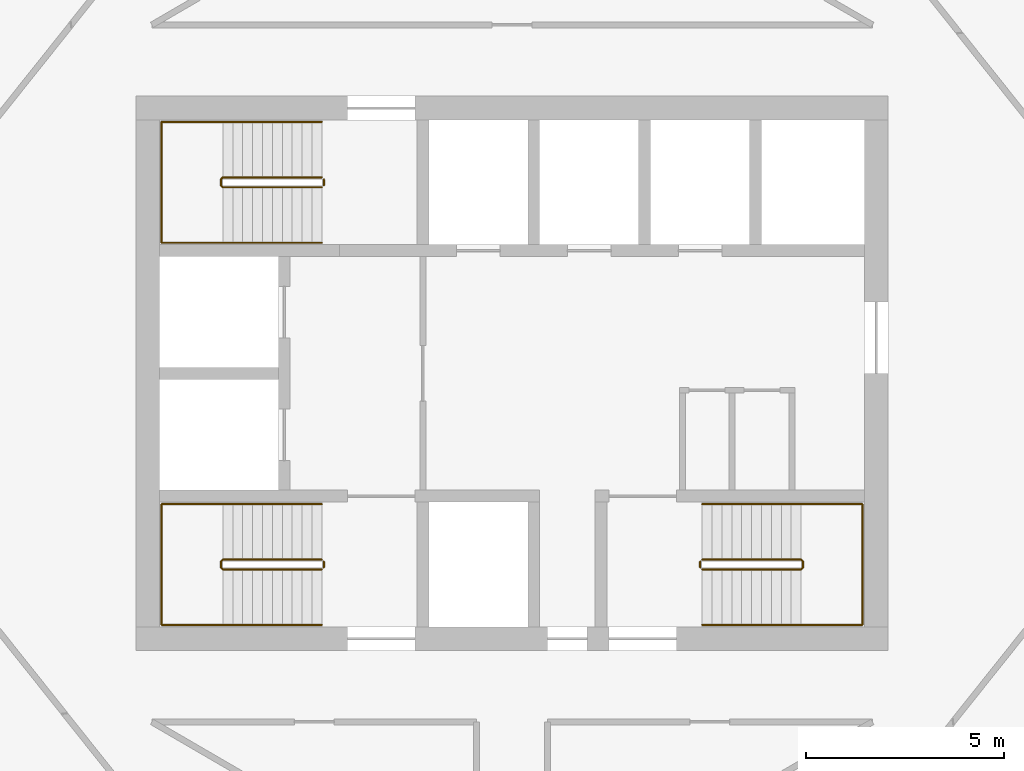
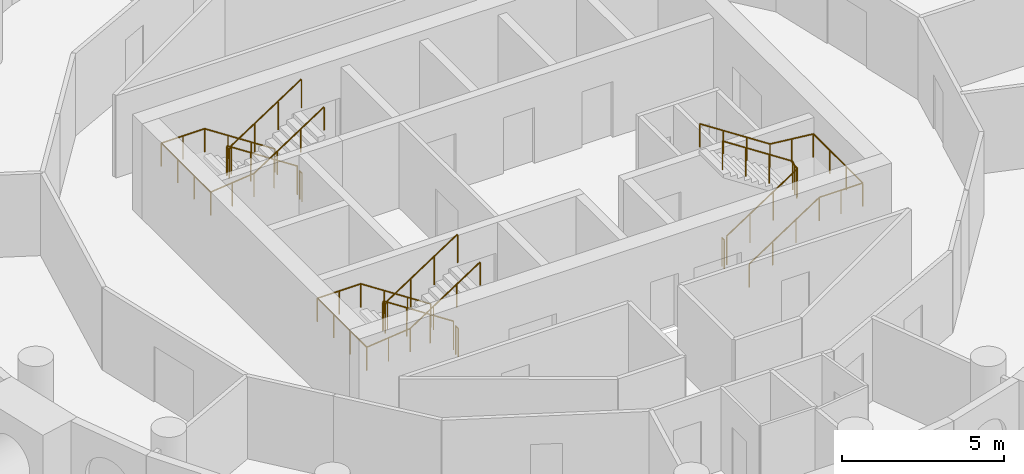
# One storey, part 13 of 13: 9 railings.
"""IFC4 building model written with IfcOpenShell, lengths in metres."""

from ifc_helpers import new_model, si_unit, direction, frame, origin, origin_2d, place, context, subcontext, project, spatial, circle, extrude, material, type_object, element, save


model = new_model("IFC4")

# Units and contexts
model_context = context("Model", 3, precision=1e-05, world=origin(), true_north=direction((0.0, 1.0)))
body_context = subcontext(model_context, "Body", "Model", "MODEL_VIEW")
ifc_project = project(units=[si_unit("LENGTHUNIT", "METRE"), si_unit("AREAUNIT", "SQUARE_METRE"), si_unit("VOLUMEUNIT", "CUBIC_METRE"), si_unit("PLANEANGLEUNIT", "RADIAN"), si_unit("MASSUNIT", "GRAM", prefix="KILO")], contexts=[model_context])

# Site, building, storey
site_placement = place(None, origin())
site = spatial("IfcSite", under=ifc_project, at=site_placement, CompositionType="ELEMENT")
building_placement = place(site_placement, origin())
building = spatial("IfcBuilding", under=site, at=building_placement, Name="Tracery Tower", CompositionType="ELEMENT")
storey_placement = place(building_placement, frame((0.0, 0.0, 270.60009765625)))
storey = spatial("IfcBuildingStorey", under=building, at=storey_placement, Name="L70", CompositionType="ELEMENT", Elevation=270.60009765625)

# Railings
ifc_material_1 = material(Name="Stainless steel and laminated glass", Category="steel")
railing_type_1 = type_object("IfcRailingType", Name="Stair guard 1100", PredefinedType="GUARDRAIL", material=ifc_material_1)
railing_1_placement = place(storey_placement, frame((-4.800048828125, -4.699951171875, 0.16357421875)))
element("IfcRailing", 1, at=railing_1_placement, inside=storey, type_object=railing_type_1, Name="L70 stair ST1 guard 1", PredefinedType="GUARDRAIL", context=body_context, shape_type="SweptSolid", body=[
    extrude(circle(Radius=0.02392578125, at=origin_2d()), frame((0.0, 0.0, 1.076171875), z_axis=(-0.836721939367, 0.0, 0.547627972425), x_axis=(0.0, -1.0, 0.0)), (0.0, 0.0, 1.0), 2.98779296875),
    extrude(circle(Radius=0.02392578125, at=origin_2d()), frame((-2.5, 0.0, 2.71240234375), z_axis=(-0.707106781187, -0.707106781187, 0.0), x_axis=(0.707106781187, -0.707106781187, 0.0)), (0.0, 0.0, 1.0), 0.07080078125),
    extrude(circle(Radius=0.02392578125, at=origin_2d()), frame((-2.550048828125, -0.050048828125, 2.71240234375), z_axis=(0.0, -1.0, 0.0), x_axis=(1.0, 0.0, 0.0)), (0.0, 0.0, 1.0), 0.14990234375),
    extrude(circle(Radius=0.02392578125, at=origin_2d()), frame((-2.550048828125, -0.199951171875, 2.71240234375), z_axis=(0.280456126637, -0.280456126637, 0.917980785237), x_axis=(0.707106781187, 0.707106781187, 0.0)), (0.0, 0.0, 1.0), 0.178466796875),
    extrude(circle(Radius=0.02392578125, at=origin_2d()), frame((-2.5, -0.25, 2.8759765625), z_axis=(0.836721939367, 0.0, 0.547627972425), x_axis=(0.0, 1.0, 0.0)), (0.0, 0.0, 1.0), 2.98779296875),
    extrude(circle(Radius=0.02099609375, at=origin_2d()), origin(), (0.0, 0.0, 1.0), 1.052001953125),
    extrude(circle(Radius=0.02099609375, at=origin_2d()), frame((-0.833251953125, 0.0, 0.54541015625)), (0.0, 0.0, 1.0), 1.052001953125),
    extrude(circle(Radius=0.02099609375, at=origin_2d()), frame((-1.666748046875, 0.0, 1.0908203125)), (0.0, 0.0, 1.0), 1.052001953125),
    extrude(circle(Radius=0.02099609375, at=origin_2d()), frame((-2.5, 0.0, 1.63623046875)), (0.0, 0.0, 1.0), 1.052001953125),
    extrude(circle(Radius=0.02099609375, at=origin_2d()), frame((-2.550048828125, -0.050048828125, 1.63623046875)), (0.0, 0.0, 1.0), 1.052001953125),
    extrude(circle(Radius=0.02099609375, at=origin_2d()), frame((-2.550048828125, -0.199951171875, 1.63623046875)), (0.0, 0.0, 1.0), 1.052001953125),
    extrude(circle(Radius=0.02099609375, at=origin_2d()), frame((-2.5, -0.25, 1.800048828125)), (0.0, 0.0, 1.0), 1.052001953125),
    extrude(circle(Radius=0.02099609375, at=origin_2d()), frame((-1.666748046875, -0.25, 2.345458984375)), (0.0, 0.0, 1.0), 1.052001953125),
    extrude(circle(Radius=0.02099609375, at=origin_2d()), frame((-0.833251953125, -0.25, 2.890869140625)), (0.0, 0.0, 1.0), 1.052001953125),
    extrude(circle(Radius=0.02099609375, at=origin_2d()), frame((0.0, -0.25, 3.436279296875)), (0.0, 0.0, 1.0), 1.052001953125),
])
railing_2_placement = place(storey_placement, frame((-4.75, -4.75, 0.0)))
element("IfcRailing", 2, at=railing_2_placement, inside=storey, type_object=railing_type_1, Name="L70 stair ST1 guard 2", PredefinedType="GUARDRAIL", context=body_context, shape_type="SweptSolid", body=[
    extrude(circle(Radius=0.02392578125, at=origin_2d()), frame((0.0, 0.0, 1.076171875), z_axis=(0.0, -1.0, 0.0), x_axis=(1.0, 0.0, 0.0)), (0.0, 0.0, 1.0), 0.14990234375),
    extrude(circle(Radius=0.02099609375, at=origin_2d()), origin(), (0.0, 0.0, 1.0), 1.052001953125),
    extrude(circle(Radius=0.02099609375, at=origin_2d()), frame((0.0, -0.14990234375, 0.0)), (0.0, 0.0, 1.0), 1.052001953125),
])
railing_3_placement = place(storey_placement, frame((-4.800048828125, 4.949951171875, 0.16357421875)))
element("IfcRailing", 3, at=railing_3_placement, inside=storey, type_object=railing_type_1, Name="L70 stair ST3 guard 1", PredefinedType="GUARDRAIL", context=body_context, shape_type="SweptSolid", body=[
    extrude(circle(Radius=0.02392578125, at=origin_2d()), frame((0.0, 0.0, 1.076171875), z_axis=(-0.836721939367, 0.0, 0.547627972425), x_axis=(0.0, -1.0, 0.0)), (0.0, 0.0, 1.0), 2.98779296875),
    extrude(circle(Radius=0.02392578125, at=origin_2d()), frame((-2.5, 0.0, 2.71240234375), z_axis=(-0.707106781187, -0.707106781187, 0.0), x_axis=(0.707106781187, -0.707106781187, 0.0)), (0.0, 0.0, 1.0), 0.07080078125),
    extrude(circle(Radius=0.02392578125, at=origin_2d()), frame((-2.550048828125, -0.050048828125, 2.71240234375), z_axis=(0.0, -1.0, 0.0), x_axis=(1.0, 0.0, 0.0)), (0.0, 0.0, 1.0), 0.14990234375),
    extrude(circle(Radius=0.02392578125, at=origin_2d()), frame((-2.550048828125, -0.199951171875, 2.71240234375), z_axis=(0.280456126637, -0.280456126637, 0.917980785237), x_axis=(0.707106781187, 0.707106781187, 0.0)), (0.0, 0.0, 1.0), 0.178466796875),
    extrude(circle(Radius=0.02392578125, at=origin_2d()), frame((-2.5, -0.25, 2.8759765625), z_axis=(0.836721939367, 0.0, 0.547627972425), x_axis=(0.0, 1.0, 0.0)), (0.0, 0.0, 1.0), 2.98779296875),
    extrude(circle(Radius=0.02099609375, at=origin_2d()), origin(), (0.0, 0.0, 1.0), 1.052001953125),
    extrude(circle(Radius=0.02099609375, at=origin_2d()), frame((-0.833251953125, 0.0, 0.54541015625)), (0.0, 0.0, 1.0), 1.052001953125),
    extrude(circle(Radius=0.02099609375, at=origin_2d()), frame((-1.666748046875, 0.0, 1.0908203125)), (0.0, 0.0, 1.0), 1.052001953125),
    extrude(circle(Radius=0.02099609375, at=origin_2d()), frame((-2.5, 0.0, 1.63623046875)), (0.0, 0.0, 1.0), 1.052001953125),
    extrude(circle(Radius=0.02099609375, at=origin_2d()), frame((-2.550048828125, -0.050048828125, 1.63623046875)), (0.0, 0.0, 1.0), 1.052001953125),
    extrude(circle(Radius=0.02099609375, at=origin_2d()), frame((-2.550048828125, -0.199951171875, 1.63623046875)), (0.0, 0.0, 1.0), 1.052001953125),
    extrude(circle(Radius=0.02099609375, at=origin_2d()), frame((-2.5, -0.25, 1.800048828125)), (0.0, 0.0, 1.0), 1.052001953125),
    extrude(circle(Radius=0.02099609375, at=origin_2d()), frame((-1.666748046875, -0.25, 2.345458984375)), (0.0, 0.0, 1.0), 1.052001953125),
    extrude(circle(Radius=0.02099609375, at=origin_2d()), frame((-0.833251953125, -0.25, 2.890869140625)), (0.0, 0.0, 1.0), 1.052001953125),
    extrude(circle(Radius=0.02099609375, at=origin_2d()), frame((0.0, -0.25, 3.436279296875)), (0.0, 0.0, 1.0), 1.052001953125),
])
railing_4_placement = place(storey_placement, frame((-4.75, 4.89990234375, 0.0)))
element("IfcRailing", 4, at=railing_4_placement, inside=storey, type_object=railing_type_1, Name="L70 stair ST3 guard 2", PredefinedType="GUARDRAIL", context=body_context, shape_type="SweptSolid", body=[
    extrude(circle(Radius=0.02392578125, at=origin_2d()), frame((0.0, 0.0, 1.076171875), z_axis=(0.0, -1.0, 0.0), x_axis=(1.0, 0.0, 0.0)), (0.0, 0.0, 1.0), 0.14990234375),
    extrude(circle(Radius=0.02099609375, at=origin_2d()), origin(), (0.0, 0.0, 1.0), 1.052001953125),
    extrude(circle(Radius=0.02099609375, at=origin_2d()), frame((0.0, -0.14990234375, 0.0)), (0.0, 0.0, 1.0), 1.052001953125),
])
railing_5_placement = place(storey_placement, frame((4.800048828125, -4.949951171875, 0.16357421875)))
element("IfcRailing", 5, at=railing_5_placement, inside=storey, type_object=railing_type_1, Name="L70 stair ST2 guard 1", PredefinedType="GUARDRAIL", context=body_context, shape_type="SweptSolid", body=[
    extrude(circle(Radius=0.02392578125, at=origin_2d()), frame((0.0, 0.0, 1.076171875), z_axis=(0.836721939367, 0.0, 0.547627972425), x_axis=(0.0, 1.0, 0.0)), (0.0, 0.0, 1.0), 2.98779296875),
    extrude(circle(Radius=0.02392578125, at=origin_2d()), frame((2.5, 0.0, 2.71240234375), z_axis=(0.707106781187, 0.707106781187, 0.0), x_axis=(-0.707106781187, 0.707106781187, 0.0)), (0.0, 0.0, 1.0), 0.07080078125),
    extrude(circle(Radius=0.02392578125, at=origin_2d()), frame((2.550048828125, 0.050048828125, 2.71240234375), z_axis=(0.0, 1.0, 0.0), x_axis=(-1.0, 0.0, 0.0)), (0.0, 0.0, 1.0), 0.14990234375),
    extrude(circle(Radius=0.02392578125, at=origin_2d()), frame((2.550048828125, 0.199951171875, 2.71240234375), z_axis=(-0.280456126637, 0.280456126637, 0.917980785237), x_axis=(-0.707106781187, -0.707106781187, 0.0)), (0.0, 0.0, 1.0), 0.178466796875),
    extrude(circle(Radius=0.02392578125, at=origin_2d()), frame((2.5, 0.25, 2.8759765625), z_axis=(-0.836721939367, 0.0, 0.547627972425), x_axis=(0.0, -1.0, 0.0)), (0.0, 0.0, 1.0), 2.98779296875),
    extrude(circle(Radius=0.02099609375, at=origin_2d()), origin(), (0.0, 0.0, 1.0), 1.052001953125),
    extrude(circle(Radius=0.02099609375, at=origin_2d()), frame((0.833251953125, 0.0, 0.54541015625)), (0.0, 0.0, 1.0), 1.052001953125),
    extrude(circle(Radius=0.02099609375, at=origin_2d()), frame((1.666748046875, 0.0, 1.0908203125)), (0.0, 0.0, 1.0), 1.052001953125),
    extrude(circle(Radius=0.02099609375, at=origin_2d()), frame((2.5, 0.0, 1.63623046875)), (0.0, 0.0, 1.0), 1.052001953125),
    extrude(circle(Radius=0.02099609375, at=origin_2d()), frame((2.550048828125, 0.050048828125, 1.63623046875)), (0.0, 0.0, 1.0), 1.052001953125),
    extrude(circle(Radius=0.02099609375, at=origin_2d()), frame((2.550048828125, 0.199951171875, 1.63623046875)), (0.0, 0.0, 1.0), 1.052001953125),
    extrude(circle(Radius=0.02099609375, at=origin_2d()), frame((2.5, 0.25, 1.800048828125)), (0.0, 0.0, 1.0), 1.052001953125),
    extrude(circle(Radius=0.02099609375, at=origin_2d()), frame((1.666748046875, 0.25, 2.345458984375)), (0.0, 0.0, 1.0), 1.052001953125),
    extrude(circle(Radius=0.02099609375, at=origin_2d()), frame((0.833251953125, 0.25, 2.890869140625)), (0.0, 0.0, 1.0), 1.052001953125),
    extrude(circle(Radius=0.02099609375, at=origin_2d()), frame((0.0, 0.25, 3.436279296875)), (0.0, 0.0, 1.0), 1.052001953125),
])
railing_6_placement = place(storey_placement, frame((4.75, -4.89990234375, 0.0)))
element("IfcRailing", 6, at=railing_6_placement, inside=storey, type_object=railing_type_1, Name="L70 stair ST2 guard 2", PredefinedType="GUARDRAIL", context=body_context, shape_type="SweptSolid", body=[
    extrude(circle(Radius=0.02392578125, at=origin_2d()), frame((0.0, 0.0, 1.076171875), z_axis=(0.0, 1.0, 0.0), x_axis=(-1.0, 0.0, 0.0)), (0.0, 0.0, 1.0), 0.14990234375),
    extrude(circle(Radius=0.02099609375, at=origin_2d()), origin(), (0.0, 0.0, 1.0), 1.052001953125),
    extrude(circle(Radius=0.02099609375, at=origin_2d()), frame((0.0, 0.14990234375, 0.0)), (0.0, 0.0, 1.0), 1.052001953125),
])
ifc_material_2 = material(Name="Stainless steel and laminated glass", Category="steel")
railing_type_2 = type_object("IfcRailingType", Name="Stair handrail 900", PredefinedType="HANDRAIL", material=ifc_material_2)
railing_7_placement = place(storey_placement, frame((-4.800048828125, -3.300048828125, 0.16357421875)))
element("IfcRailing", 7, at=railing_7_placement, inside=storey, type_object=railing_type_2, Name="L70 stair ST1 handrail 1", PredefinedType="HANDRAIL", context=body_context, shape_type="SweptSolid", body=[
    extrude(circle(Radius=0.02392578125, at=origin_2d()), frame((0.0, 0.0, 0.8759765625), z_axis=(-0.836721939367, 0.0, 0.547627972425), x_axis=(0.0, -1.0, 0.0)), (0.0, 0.0, 1.0), 2.98779296875),
    extrude(circle(Radius=0.02392578125, at=origin_2d()), frame((-2.5, 0.0, 2.51220703125), z_axis=(-1.0, 0.0, 0.0), x_axis=(0.0, -1.0, 0.0)), (0.0, 0.0, 1.0), 1.550048828125),
    extrude(circle(Radius=0.02392578125, at=origin_2d()), frame((-4.050048828125, 0.0, 2.51220703125), z_axis=(0.0, -1.0, 0.0), x_axis=(1.0, 0.0, 0.0)), (0.0, 0.0, 1.0), 3.050048828125),
    extrude(circle(Radius=0.02392578125, at=origin_2d()), frame((-4.050048828125, -3.050048828125, 2.51220703125), z_axis=(0.994461594632, 0.0, 0.105100603244), x_axis=(0.0, 1.0, 0.0)), (0.0, 0.0, 1.0), 1.55859375),
    extrude(circle(Radius=0.02392578125, at=origin_2d()), frame((-2.5, -3.050048828125, 2.67578125), z_axis=(0.836721939367, 0.0, 0.547627972425), x_axis=(0.0, 1.0, 0.0)), (0.0, 0.0, 1.0), 2.98779296875),
    extrude(circle(Radius=0.02099609375, at=origin_2d()), origin(), (0.0, 0.0, 1.0), 0.851806640625),
    extrude(circle(Radius=0.02099609375, at=origin_2d()), frame((-0.833251953125, 0.0, 0.54541015625)), (0.0, 0.0, 1.0), 0.851806640625),
    extrude(circle(Radius=0.02099609375, at=origin_2d()), frame((-1.666748046875, 0.0, 1.0908203125)), (0.0, 0.0, 1.0), 0.851806640625),
    extrude(circle(Radius=0.02099609375, at=origin_2d()), frame((-2.5, 0.0, 1.63623046875)), (0.0, 0.0, 1.0), 0.851806640625),
    extrude(circle(Radius=0.02099609375, at=origin_2d()), frame((-3.27490234375, 0.0, 1.63623046875)), (0.0, 0.0, 1.0), 0.851806640625),
    extrude(circle(Radius=0.02099609375, at=origin_2d()), frame((-4.050048828125, 0.0, 1.63623046875)), (0.0, 0.0, 1.0), 0.851806640625),
    extrude(circle(Radius=0.02099609375, at=origin_2d()), frame((-4.050048828125, -1.0166015625, 1.63623046875)), (0.0, 0.0, 1.0), 0.851806640625),
    extrude(circle(Radius=0.02099609375, at=origin_2d()), frame((-4.050048828125, -2.033447265625, 1.63623046875)), (0.0, 0.0, 1.0), 0.851806640625),
    extrude(circle(Radius=0.02099609375, at=origin_2d()), frame((-4.050048828125, -3.050048828125, 1.63623046875)), (0.0, 0.0, 1.0), 0.851806640625),
    extrude(circle(Radius=0.02099609375, at=origin_2d()), frame((-3.27490234375, -3.050048828125, 1.71826171875)), (0.0, 0.0, 1.0), 0.851806640625),
    extrude(circle(Radius=0.02099609375, at=origin_2d()), frame((-2.5, -3.050048828125, 1.800048828125)), (0.0, 0.0, 1.0), 0.851806640625),
    extrude(circle(Radius=0.02099609375, at=origin_2d()), frame((-1.666748046875, -3.050048828125, 2.345458984375)), (0.0, 0.0, 1.0), 0.851806640625),
    extrude(circle(Radius=0.02099609375, at=origin_2d()), frame((-0.833251953125, -3.050048828125, 2.890869140625)), (0.0, 0.0, 1.0), 0.851806640625),
    extrude(circle(Radius=0.02099609375, at=origin_2d()), frame((0.0, -3.050048828125, 3.436279296875)), (0.0, 0.0, 1.0), 0.851806640625),
])
railing_8_placement = place(storey_placement, frame((-4.800048828125, 6.35009765625, 0.16357421875)))
element("IfcRailing", 8, at=railing_8_placement, inside=storey, type_object=railing_type_2, Name="L70 stair ST3 handrail 1", PredefinedType="HANDRAIL", context=body_context, shape_type="SweptSolid", body=[
    extrude(circle(Radius=0.02392578125, at=origin_2d()), frame((0.0, 0.0, 0.8759765625), z_axis=(-0.836721939367, 0.0, 0.547627972425), x_axis=(0.0, -1.0, 0.0)), (0.0, 0.0, 1.0), 2.98779296875),
    extrude(circle(Radius=0.02392578125, at=origin_2d()), frame((-2.5, 0.0, 2.51220703125), z_axis=(-1.0, 0.0, 0.0), x_axis=(0.0, -1.0, 0.0)), (0.0, 0.0, 1.0), 1.550048828125),
    extrude(circle(Radius=0.02392578125, at=origin_2d()), frame((-4.050048828125, 0.0, 2.51220703125), z_axis=(0.0, -1.0, 0.0), x_axis=(1.0, 0.0, 0.0)), (0.0, 0.0, 1.0), 3.050048828125),
    extrude(circle(Radius=0.02392578125, at=origin_2d()), frame((-4.050048828125, -3.050048828125, 2.51220703125), z_axis=(0.994461594632, 0.0, 0.105100603244), x_axis=(0.0, 1.0, 0.0)), (0.0, 0.0, 1.0), 1.55859375),
    extrude(circle(Radius=0.02392578125, at=origin_2d()), frame((-2.5, -3.050048828125, 2.67578125), z_axis=(0.836721939367, 0.0, 0.547627972425), x_axis=(0.0, 1.0, 0.0)), (0.0, 0.0, 1.0), 2.98779296875),
    extrude(circle(Radius=0.02099609375, at=origin_2d()), origin(), (0.0, 0.0, 1.0), 0.851806640625),
    extrude(circle(Radius=0.02099609375, at=origin_2d()), frame((-0.833251953125, 0.0, 0.54541015625)), (0.0, 0.0, 1.0), 0.851806640625),
    extrude(circle(Radius=0.02099609375, at=origin_2d()), frame((-1.666748046875, 0.0, 1.0908203125)), (0.0, 0.0, 1.0), 0.851806640625),
    extrude(circle(Radius=0.02099609375, at=origin_2d()), frame((-2.5, 0.0, 1.63623046875)), (0.0, 0.0, 1.0), 0.851806640625),
    extrude(circle(Radius=0.02099609375, at=origin_2d()), frame((-3.27490234375, 0.0, 1.63623046875)), (0.0, 0.0, 1.0), 0.851806640625),
    extrude(circle(Radius=0.02099609375, at=origin_2d()), frame((-4.050048828125, 0.0, 1.63623046875)), (0.0, 0.0, 1.0), 0.851806640625),
    extrude(circle(Radius=0.02099609375, at=origin_2d()), frame((-4.050048828125, -1.0166015625, 1.63623046875)), (0.0, 0.0, 1.0), 0.851806640625),
    extrude(circle(Radius=0.02099609375, at=origin_2d()), frame((-4.050048828125, -2.033447265625, 1.63623046875)), (0.0, 0.0, 1.0), 0.851806640625),
    extrude(circle(Radius=0.02099609375, at=origin_2d()), frame((-4.050048828125, -3.050048828125, 1.63623046875)), (0.0, 0.0, 1.0), 0.851806640625),
    extrude(circle(Radius=0.02099609375, at=origin_2d()), frame((-3.27490234375, -3.050048828125, 1.71826171875)), (0.0, 0.0, 1.0), 0.851806640625),
    extrude(circle(Radius=0.02099609375, at=origin_2d()), frame((-2.5, -3.050048828125, 1.800048828125)), (0.0, 0.0, 1.0), 0.851806640625),
    extrude(circle(Radius=0.02099609375, at=origin_2d()), frame((-1.666748046875, -3.050048828125, 2.345458984375)), (0.0, 0.0, 1.0), 0.851806640625),
    extrude(circle(Radius=0.02099609375, at=origin_2d()), frame((-0.833251953125, -3.050048828125, 2.890869140625)), (0.0, 0.0, 1.0), 0.851806640625),
    extrude(circle(Radius=0.02099609375, at=origin_2d()), frame((0.0, -3.050048828125, 3.436279296875)), (0.0, 0.0, 1.0), 0.851806640625),
])
railing_9_placement = place(storey_placement, frame((4.800048828125, -6.35009765625, 0.16357421875)))
element("IfcRailing", 9, at=railing_9_placement, inside=storey, type_object=railing_type_2, Name="L70 stair ST2 handrail 1", PredefinedType="HANDRAIL", context=body_context, shape_type="SweptSolid", body=[
    extrude(circle(Radius=0.02392578125, at=origin_2d()), frame((0.0, 0.0, 0.8759765625), z_axis=(0.836721939367, 0.0, 0.547627972425), x_axis=(0.0, 1.0, 0.0)), (0.0, 0.0, 1.0), 2.98779296875),
    extrude(circle(Radius=0.02392578125, at=origin_2d()), frame((2.5, 0.0, 2.51220703125), z_axis=(1.0, 0.0, 0.0), x_axis=(0.0, 1.0, 0.0)), (0.0, 0.0, 1.0), 1.550048828125),
    extrude(circle(Radius=0.02392578125, at=origin_2d()), frame((4.050048828125, 0.0, 2.51220703125), z_axis=(0.0, 1.0, 0.0), x_axis=(-1.0, 0.0, 0.0)), (0.0, 0.0, 1.0), 3.050048828125),
    extrude(circle(Radius=0.02392578125, at=origin_2d()), frame((4.050048828125, 3.050048828125, 2.51220703125), z_axis=(-0.994461594632, 0.0, 0.105100603244), x_axis=(0.0, -1.0, 0.0)), (0.0, 0.0, 1.0), 1.55859375),
    extrude(circle(Radius=0.02392578125, at=origin_2d()), frame((2.5, 3.050048828125, 2.67578125), z_axis=(-0.836721939367, 0.0, 0.547627972425), x_axis=(0.0, -1.0, 0.0)), (0.0, 0.0, 1.0), 2.98779296875),
    extrude(circle(Radius=0.02099609375, at=origin_2d()), origin(), (0.0, 0.0, 1.0), 0.851806640625),
    extrude(circle(Radius=0.02099609375, at=origin_2d()), frame((0.833251953125, 0.0, 0.54541015625)), (0.0, 0.0, 1.0), 0.851806640625),
    extrude(circle(Radius=0.02099609375, at=origin_2d()), frame((1.666748046875, 0.0, 1.0908203125)), (0.0, 0.0, 1.0), 0.851806640625),
    extrude(circle(Radius=0.02099609375, at=origin_2d()), frame((2.5, 0.0, 1.63623046875)), (0.0, 0.0, 1.0), 0.851806640625),
    extrude(circle(Radius=0.02099609375, at=origin_2d()), frame((3.27490234375, 0.0, 1.63623046875)), (0.0, 0.0, 1.0), 0.851806640625),
    extrude(circle(Radius=0.02099609375, at=origin_2d()), frame((4.050048828125, 0.0, 1.63623046875)), (0.0, 0.0, 1.0), 0.851806640625),
    extrude(circle(Radius=0.02099609375, at=origin_2d()), frame((4.050048828125, 1.0166015625, 1.63623046875)), (0.0, 0.0, 1.0), 0.851806640625),
    extrude(circle(Radius=0.02099609375, at=origin_2d()), frame((4.050048828125, 2.033447265625, 1.63623046875)), (0.0, 0.0, 1.0), 0.851806640625),
    extrude(circle(Radius=0.02099609375, at=origin_2d()), frame((4.050048828125, 3.050048828125, 1.63623046875)), (0.0, 0.0, 1.0), 0.851806640625),
    extrude(circle(Radius=0.02099609375, at=origin_2d()), frame((3.27490234375, 3.050048828125, 1.71826171875)), (0.0, 0.0, 1.0), 0.851806640625),
    extrude(circle(Radius=0.02099609375, at=origin_2d()), frame((2.5, 3.050048828125, 1.800048828125)), (0.0, 0.0, 1.0), 0.851806640625),
    extrude(circle(Radius=0.02099609375, at=origin_2d()), frame((1.666748046875, 3.050048828125, 2.345458984375)), (0.0, 0.0, 1.0), 0.851806640625),
    extrude(circle(Radius=0.02099609375, at=origin_2d()), frame((0.833251953125, 3.050048828125, 2.890869140625)), (0.0, 0.0, 1.0), 0.851806640625),
    extrude(circle(Radius=0.02099609375, at=origin_2d()), frame((0.0, 3.050048828125, 3.436279296875)), (0.0, 0.0, 1.0), 0.851806640625),
])

save(model, "model.ifc")
